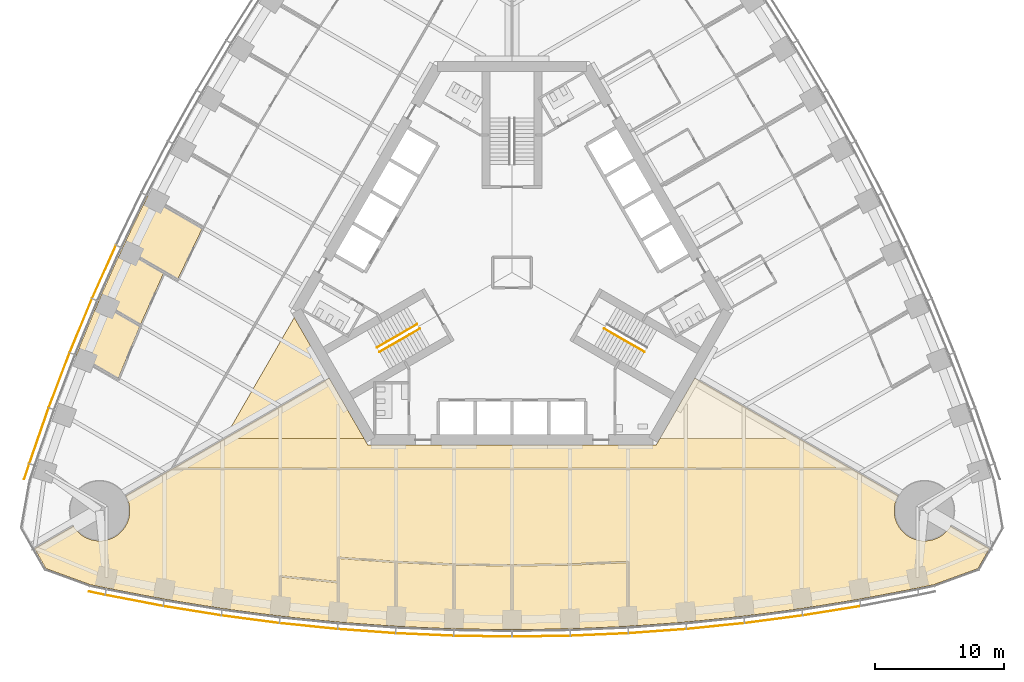
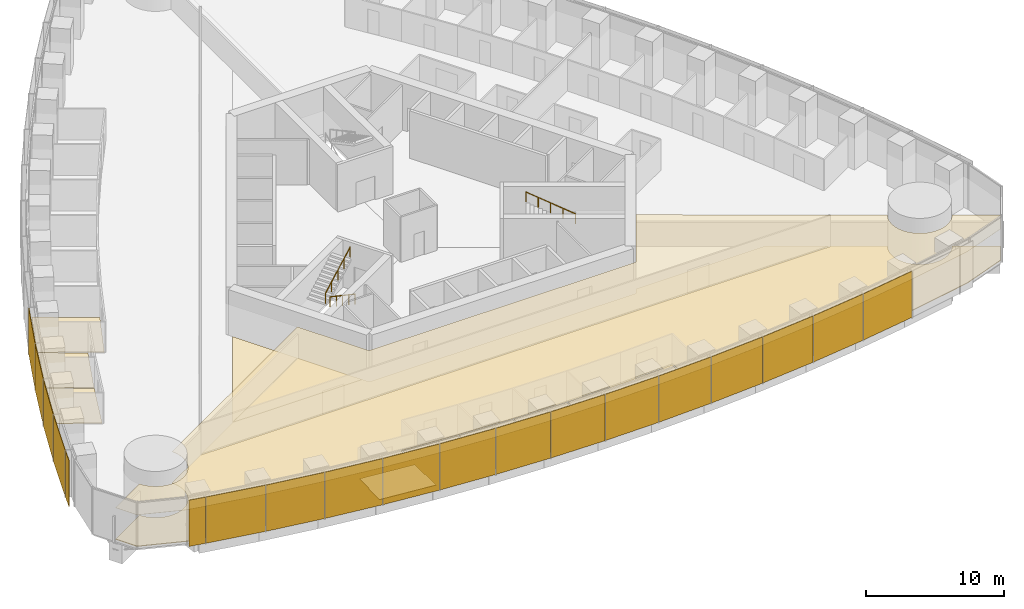
# One storey, part 14 of 18: 19 shading devices, 13 coverings, 3 railings.
"""IFC4 building model written with IfcOpenShell, lengths in metres."""

from ifc_helpers import new_model, si_unit, direction, frame, origin, origin_2d, place, context, subcontext, project, spatial, polyline, rectangle, circle, outline, extrude, material, layer, layer_set, type_object, element, save


model = new_model("IFC4")

# Units and contexts
model_context = context("Model", 3, precision=1e-05, world=origin(), true_north=direction((0.0, 1.0)))
body_context = subcontext(model_context, "Body", "Model", "MODEL_VIEW")
ifc_project = project(units=[si_unit("LENGTHUNIT", "METRE"), si_unit("AREAUNIT", "SQUARE_METRE"), si_unit("VOLUMEUNIT", "CUBIC_METRE"), si_unit("PLANEANGLEUNIT", "RADIAN"), si_unit("MASSUNIT", "GRAM", prefix="KILO")], contexts=[model_context])

# Site, building, storey
site_placement = place(None, origin())
site = spatial("IfcSite", under=ifc_project, at=site_placement, CompositionType="ELEMENT")
building_placement = place(site_placement, origin())
building = spatial("IfcBuilding", under=site, at=building_placement, Name="Trefoil Bronze Tower", CompositionType="ELEMENT")
storey_placement = place(building_placement, frame((0.0, 0.0, 54.300048828125)))
storey = spatial("IfcBuildingStorey", under=building, at=storey_placement, Name="L12", CompositionType="ELEMENT", Elevation=54.300048828125)

# Shading devices
ifc_material_1 = material(Name="Perforated bronze sheet", Category="bronze")
ifc_layer_1 = layer(ifc_material_1, 0.0400390625)
ifc_layer_set_1 = layer_set([ifc_layer_1], Name="Bronze solar screen panel")
shading_device_type = type_object("IfcShadingDeviceType", Name="Bronze solar screen panel", PredefinedType="SHUTTER", material=ifc_layer_set_1)
shading_device_1_placement = place(storey_placement, frame((-32.2431640625, -24.91064453125, 0.0498046875), z_axis=(0.0, 0.0, 1.0), x_axis=(0.978302717041, -0.207180582657, 0.0)))
element("IfcShadingDevice", 1, at=shading_device_1_placement, inside=storey, type_object=shading_device_type, Name="Solar screen CW-A L12 F1 bay 1", PredefinedType="SHUTTER", context=body_context, shape_type="SweptSolid", body=[
    extrude(rectangle(XDim=1.260498046875, YDim=0.0400390625, at=origin_2d()), origin(), (0.0, 0.0, 1.0), 4.10009765625),
])
shading_device_2_placement = place(storey_placement, frame((-29.351806640625, -25.478515625, 0.0498046875), z_axis=(0.0, 0.0, 1.0), x_axis=(0.982049823817, -0.188621694249, 0.0)))
element("IfcShadingDevice", 2, at=shading_device_2_placement, inside=storey, type_object=shading_device_type, Name="Solar screen CW-A L12 F1 bay 2", PredefinedType="SHUTTER", context=body_context, shape_type="SweptSolid", body=[
    extrude(rectangle(XDim=4.55224609375, YDim=0.0400390625, at=origin_2d()), origin(), (0.0, 0.0, 1.0), 4.10009765625),
])
shading_device_3_placement = place(storey_placement, frame((-24.836181640625, -26.277099609375, 0.0498046875), z_axis=(0.0, 0.0, 1.0), x_axis=(0.987181315145, -0.159602791421, 0.0)))
element("IfcShadingDevice", 3, at=shading_device_3_placement, inside=storey, type_object=shading_device_type, Name="Solar screen CW-A L12 F1 bay 3", PredefinedType="SHUTTER", context=body_context, shape_type="SweptSolid", body=[
    extrude(rectangle(XDim=4.5283203125, YDim=0.0400390625, at=origin_2d()), origin(), (0.0, 0.0, 1.0), 4.10009765625),
])
shading_device_4_placement = place(storey_placement, frame((-20.320556640625, -26.939697265625, 0.0498046875), z_axis=(0.0, 0.0, 1.0), x_axis=(0.991437251591, -0.130583981243, 0.0)))
element("IfcShadingDevice", 4, at=shading_device_4_placement, inside=storey, type_object=shading_device_type, Name="Solar screen CW-A L12 F1 bay 4", PredefinedType="SHUTTER", context=body_context, shape_type="SweptSolid", body=[
    extrude(rectangle(XDim=4.5087890625, YDim=0.0400390625, at=origin_2d()), origin(), (0.0, 0.0, 1.0), 4.10009765625),
])
shading_device_5_placement = place(storey_placement, frame((-15.804931640625, -27.467529296875, 0.0498046875), z_axis=(0.0, 0.0, 1.0), x_axis=(0.994828880293, -0.101565244717, 0.0)))
element("IfcShadingDevice", 5, at=shading_device_5_placement, inside=storey, type_object=shading_device_type, Name="Solar screen CW-A L12 F1 bay 5", PredefinedType="SHUTTER", context=body_context, shape_type="SweptSolid", body=[
    extrude(rectangle(XDim=4.493408203125, YDim=0.0400390625, at=origin_2d()), origin(), (0.0, 0.0, 1.0), 4.10009765625),
])
shading_device_6_placement = place(storey_placement, frame((-11.2890625, -27.8623046875, 0.0498046875), z_axis=(0.0, 0.0, 1.0), x_axis=(0.99736502647, -0.072546564177, 0.0)))
element("IfcShadingDevice", 6, at=shading_device_6_placement, inside=storey, type_object=shading_device_type, Name="Solar screen CW-A L12 F1 bay 6", PredefinedType="SHUTTER", context=body_context, shape_type="SweptSolid", body=[
    extrude(rectangle(XDim=4.48193359375, YDim=0.0400390625, at=origin_2d()), origin(), (0.0, 0.0, 1.0), 4.10009765625),
])
shading_device_7_placement = place(storey_placement, frame((-6.7734375, -28.124755859375, 0.0498046875), z_axis=(0.0, 0.0, 1.0), x_axis=(0.999052210809, -0.043527922969, 0.0)))
element("IfcShadingDevice", 7, at=shading_device_7_placement, inside=storey, type_object=shading_device_type, Name="Solar screen CW-A L12 F1 bay 7", PredefinedType="SHUTTER", context=body_context, shape_type="SweptSolid", body=[
    extrude(rectangle(XDim=4.474365234375, YDim=0.0400390625, at=origin_2d()), origin(), (0.0, 0.0, 1.0), 4.10009765625),
])
for number, where, z_axis, x_axis, name in (
    (8, (-2.2578125, -28.256103515625, 0.0498046875), (0.0, 0.0, 1.0), (0.999894734493, -0.014509305083, 0.0), "Solar screen CW-A L12 F1 bay 8"),
    (9, (2.2578125, -28.256103515625, 0.0498046875), (0.0, 0.0, 1.0), (0.999894734493, 0.014509305083, 0.0), "Solar screen CW-A L12 F1 bay 9"),
):
    element("IfcShadingDevice", number, at=place(storey_placement, frame(where, z_axis=z_axis, x_axis=x_axis)), inside=storey, type_object=shading_device_type, Name=name, PredefinedType="SHUTTER", context=body_context, shape_type="SweptSolid", body=[
        extrude(rectangle(XDim=4.470458984375, YDim=0.0400390625, at=origin_2d()), origin(), (0.0, 0.0, 1.0), 4.10009765625),
    ])
shading_device_8_placement = place(storey_placement, frame((6.7734375, -28.124755859375, 0.0498046875), z_axis=(0.0, 0.0, 1.0), x_axis=(0.999052210809, 0.043527922969, 0.0)))
element("IfcShadingDevice", 10, at=shading_device_8_placement, inside=storey, type_object=shading_device_type, Name="Solar screen CW-A L12 F1 bay 10", PredefinedType="SHUTTER", context=body_context, shape_type="SweptSolid", body=[
    extrude(rectangle(XDim=4.474365234375, YDim=0.0400390625, at=origin_2d()), origin(), (0.0, 0.0, 1.0), 4.10009765625),
])
shading_device_9_placement = place(storey_placement, frame((11.2890625, -27.8623046875, 0.0498046875), z_axis=(0.0, 0.0, 1.0), x_axis=(0.99736502647, 0.072546564177, 0.0)))
element("IfcShadingDevice", 11, at=shading_device_9_placement, inside=storey, type_object=shading_device_type, Name="Solar screen CW-A L12 F1 bay 11", PredefinedType="SHUTTER", context=body_context, shape_type="SweptSolid", body=[
    extrude(rectangle(XDim=4.48193359375, YDim=0.0400390625, at=origin_2d()), origin(), (0.0, 0.0, 1.0), 4.10009765625),
])
shading_device_10_placement = place(storey_placement, frame((15.804931640625, -27.467529296875, 0.0498046875), z_axis=(0.0, 0.0, 1.0), x_axis=(0.994828880293, 0.101565244717, 0.0)))
element("IfcShadingDevice", 12, at=shading_device_10_placement, inside=storey, type_object=shading_device_type, Name="Solar screen CW-A L12 F1 bay 12", PredefinedType="SHUTTER", context=body_context, shape_type="SweptSolid", body=[
    extrude(rectangle(XDim=4.493408203125, YDim=0.0400390625, at=origin_2d()), origin(), (0.0, 0.0, 1.0), 4.10009765625),
])
shading_device_11_placement = place(storey_placement, frame((20.320556640625, -26.939697265625, 0.0498046875), z_axis=(0.0, 0.0, 1.0), x_axis=(0.991437251591, 0.130583981243, 0.0)))
element("IfcShadingDevice", 13, at=shading_device_11_placement, inside=storey, type_object=shading_device_type, Name="Solar screen CW-A L12 F1 bay 13", PredefinedType="SHUTTER", context=body_context, shape_type="SweptSolid", body=[
    extrude(rectangle(XDim=4.5087890625, YDim=0.0400390625, at=origin_2d()), origin(), (0.0, 0.0, 1.0), 4.10009765625),
])
shading_device_12_placement = place(storey_placement, frame((24.836181640625, -26.277099609375, 0.0498046875), z_axis=(0.0, 0.0, 1.0), x_axis=(0.987181315145, 0.159602791421, 0.0)))
element("IfcShadingDevice", 14, at=shading_device_12_placement, inside=storey, type_object=shading_device_type, Name="Solar screen CW-A L12 F1 bay 14", PredefinedType="SHUTTER", context=body_context, shape_type="SweptSolid", body=[
    extrude(rectangle(XDim=4.5283203125, YDim=0.0400390625, at=origin_2d()), origin(), (0.0, 0.0, 1.0), 4.10009765625),
])
shading_device_13_placement = place(storey_placement, frame((-31.68994140625, 0.04638671875, 0.0498046875), z_axis=(0.0, 0.0, 1.0), x_axis=(-0.40945635808, -0.912329705111, 0.0)))
element("IfcShadingDevice", 15, at=shading_device_13_placement, inside=storey, type_object=shading_device_type, Name="Solar screen CW-A L12 F3 bay 12", PredefinedType="SHUTTER", context=body_context, shape_type="SweptSolid", body=[
    extrude(rectangle(XDim=4.493408203125, YDim=0.0400390625, at=origin_2d()), origin(), (0.0, 0.0, 1.0), 4.10009765625),
])
shading_device_14_placement = place(storey_placement, frame((-33.49072265625, -4.128173828125, 0.0498046875), z_axis=(0.0, 0.0, 1.0), x_axis=(-0.382629580712, -0.923901836758, 0.0)))
element("IfcShadingDevice", 16, at=shading_device_14_placement, inside=storey, type_object=shading_device_type, Name="Solar screen CW-A L12 F3 bay 13", PredefinedType="SHUTTER", context=body_context, shape_type="SweptSolid", body=[
    extrude(rectangle(XDim=4.5087890625, YDim=0.0400390625, at=origin_2d()), origin(), (0.0, 0.0, 1.0), 4.10009765625),
])
shading_device_15_placement = place(storey_placement, frame((-35.1748046875, -8.3701171875, 0.0498046875), z_axis=(0.0, 0.0, 1.0), x_axis=(-0.355370585687, -0.934725492767, 0.0)))
element("IfcShadingDevice", 17, at=shading_device_15_placement, inside=storey, type_object=shading_device_type, Name="Solar screen CW-A L12 F3 bay 14", PredefinedType="SHUTTER", context=body_context, shape_type="SweptSolid", body=[
    extrude(rectangle(XDim=4.5283203125, YDim=0.0400390625, at=origin_2d()), origin(), (0.0, 0.0, 1.0), 4.10009765625),
])
shading_device_16_placement = place(storey_placement, frame((-36.740966796875, -12.68017578125, 0.0498046875), z_axis=(0.0, 0.0, 1.0), x_axis=(-0.327673732984, -0.944790942332, 0.0)))
element("IfcShadingDevice", 18, at=shading_device_16_placement, inside=storey, type_object=shading_device_type, Name="Solar screen CW-A L12 F3 bay 15", PredefinedType="SHUTTER", context=body_context, shape_type="SweptSolid", body=[
    extrude(rectangle(XDim=4.55224609375, YDim=0.0400390625, at=origin_2d()), origin(), (0.0, 0.0, 1.0), 4.10009765625),
])
shading_device_17_placement = place(storey_placement, frame((-37.69482421875, -15.468017578125, 0.0498046875), z_axis=(0.0, 0.0, 1.0), x_axis=(-0.309727710769, -0.950825296877, 0.0)))
element("IfcShadingDevice", 19, at=shading_device_17_placement, inside=storey, type_object=shading_device_type, Name="Solar screen CW-A L12 F3 bay 16", PredefinedType="SHUTTER", context=body_context, shape_type="SweptSolid", body=[
    extrude(rectangle(XDim=1.260498046875, YDim=0.0400390625, at=origin_2d()), origin(), (0.0, 0.0, 1.0), 4.10009765625),
])

# Railings
ifc_material_2 = material(Name="Steel handrail", Category="steel")
railing_type = type_object("IfcRailingType", Name="Handrail 900", PredefinedType="HANDRAIL", material=ifc_material_2)
railing_1_placement = place(storey_placement, frame((10.28369140625, -6.168212890625, 2.261474609375)))
element("IfcRailing", 20, at=railing_1_placement, inside=storey, type_object=railing_type, Name="Handrail ST1 flight 2 L12", PredefinedType="HANDRAIL", context=body_context, shape_type="SweptSolid", body=[
    extrude(circle(Radius=0.02392578125, at=origin_2d()), frame((0.0, 0.0, 0.8759765625), z_axis=(-0.76250339821, 0.440245697338, 0.474101564745), x_axis=(-0.500012057535, -0.866018442252, 0.0)), (0.0, 0.0, 1.0), 4.088623046875),
    extrude(circle(Radius=0.02099609375, at=origin_2d()), origin(), (0.0, 0.0, 1.0), 0.851806640625),
    extrude(circle(Radius=0.02099609375, at=origin_2d()), frame((-0.779296875, 0.449951171875, 0.484619140625)), (0.0, 0.0, 1.0), 0.851806640625),
    extrude(circle(Radius=0.02099609375, at=origin_2d()), frame((-1.558837890625, 0.89990234375, 0.96923828125)), (0.0, 0.0, 1.0), 0.851806640625),
    extrude(circle(Radius=0.02099609375, at=origin_2d()), frame((-2.33837890625, 1.35009765625, 1.453857421875)), (0.0, 0.0, 1.0), 0.851806640625),
    extrude(circle(Radius=0.02099609375, at=origin_2d()), frame((-3.11767578125, 1.800048828125, 1.9384765625)), (0.0, 0.0, 1.0), 0.851806640625),
])
railing_2_placement = place(storey_placement, frame((-7.166015625, -4.3681640625, 0.161376953125)))
element("IfcRailing", 21, at=railing_2_placement, inside=storey, type_object=railing_type, Name="Handrail ST3 flight 1 L12", PredefinedType="HANDRAIL", context=body_context, shape_type="SweptSolid", body=[
    extrude(circle(Radius=0.02392578125, at=origin_2d()), frame((0.0, 0.0, 0.8759765625), z_axis=(-0.76250339821, -0.440245697338, 0.474101564745), x_axis=(0.500012057535, -0.866018442252, 0.0)), (0.0, 0.0, 1.0), 4.088623046875),
    extrude(circle(Radius=0.02099609375, at=origin_2d()), origin(), (0.0, 0.0, 1.0), 0.851806640625),
    extrude(circle(Radius=0.02099609375, at=origin_2d()), frame((-0.779296875, -0.449951171875, 0.484619140625)), (0.0, 0.0, 1.0), 0.851806640625),
    extrude(circle(Radius=0.02099609375, at=origin_2d()), frame((-1.558837890625, -0.89990234375, 0.96923828125)), (0.0, 0.0, 1.0), 0.851806640625),
    extrude(circle(Radius=0.02099609375, at=origin_2d()), frame((-2.33837890625, -1.35009765625, 1.453857421875)), (0.0, 0.0, 1.0), 0.851806640625),
    extrude(circle(Radius=0.02099609375, at=origin_2d()), frame((-3.11767578125, -1.800048828125, 1.9384765625)), (0.0, 0.0, 1.0), 0.851806640625),
])
railing_3_placement = place(storey_placement, frame((-10.483642578125, -5.82177734375, 2.261474609375)))
element("IfcRailing", 22, at=railing_3_placement, inside=storey, type_object=railing_type, Name="Handrail ST3 flight 2 L12", PredefinedType="HANDRAIL", context=body_context, shape_type="SweptSolid", body=[
    extrude(circle(Radius=0.02392578125, at=origin_2d()), frame((0.0, 0.0, 0.8759765625), z_axis=(0.76250339821, 0.440245697338, 0.474101564745), x_axis=(-0.500012057535, 0.866018442252, 0.0)), (0.0, 0.0, 1.0), 4.088623046875),
    extrude(circle(Radius=0.02099609375, at=origin_2d()), origin(), (0.0, 0.0, 1.0), 0.851806640625),
    extrude(circle(Radius=0.02099609375, at=origin_2d()), frame((0.779296875, 0.449951171875, 0.484619140625)), (0.0, 0.0, 1.0), 0.851806640625),
    extrude(circle(Radius=0.02099609375, at=origin_2d()), frame((1.558837890625, 0.89990234375, 0.96923828125)), (0.0, 0.0, 1.0), 0.851806640625),
    extrude(circle(Radius=0.02099609375, at=origin_2d()), frame((2.33837890625, 1.35009765625, 1.453857421875)), (0.0, 0.0, 1.0), 0.851806640625),
    extrude(circle(Radius=0.02099609375, at=origin_2d()), frame((3.11767578125, 1.800048828125, 1.9384765625)), (0.0, 0.0, 1.0), 0.851806640625),
])

# Coverings
ifc_material_3 = material(Name="Acoustic ceiling panels", Category="mineral fibre")
ifc_layer_2 = layer(ifc_material_3, 0.02001953125)
ifc_layer_set_2 = layer_set([ifc_layer_2], Name="Office ceiling 20")
covering_type_1 = type_object("IfcCoveringType", Name="Office ceiling 20", PredefinedType="CEILING", material=ifc_layer_set_2)
covering_1_placement = place(storey_placement, frame((0.0, 0.0, 2.89990234375)))
element("IfcCovering", 23, at=covering_1_placement, inside=storey, type_object=covering_type_1, Name="Ceiling L12 Open-plan office F1", PredefinedType="CEILING", context=body_context, shape_type="SweptSolid", body=[
    extrude(outline(polyline([(-33.996826171875, -19.8056640625), (-33.930419921875, -19.89990234375), (-33.859619140625, -19.99072265625), (-33.7841796875, -20.078125), (-33.70458984375, -20.16162109375), (-33.62109375, -20.2412109375), (-33.53369140625, -20.316650390625), (-33.44287109375, -20.387451171875), (-33.348388671875, -20.4541015625), (-33.251220703125, -20.515625), (-33.150634765625, -20.572509765625), (-33.047607421875, -20.62451171875), (-32.942138671875, -20.671142578125), (-32.834716796875, -20.712646484375), (-32.72509765625, -20.748779296875), (-32.614013671875, -20.779541015625), (-32.50146484375, -20.8046875), (-32.3876953125, -20.82470703125), (-32.273193359375, -20.838623046875), (-32.158203125, -20.84716796875), (-32.04296875, -20.85009765625), (-31.927490234375, -20.84716796875), (-31.8125, -20.838623046875), (-31.697998046875, -20.82470703125), (-31.58447265625, -20.8046875), (-31.471923828125, -20.779541015625), (-31.36083984375, -20.748779296875), (-31.251220703125, -20.712646484375), (-31.1435546875, -20.671142578125), (-31.0380859375, -20.62451171875), (-30.935302734375, -20.572509765625), (-30.834716796875, -20.515625), (-30.7373046875, -20.4541015625), (-30.64306640625, -20.387451171875), (-30.552001953125, -20.316650390625), (-30.46484375, -20.2412109375), (-30.381103515625, -20.16162109375), (-30.3017578125, -20.078125), (-30.226318359375, -19.99072265625), (-30.155517578125, -19.89990234375), (-30.089111328125, -19.8056640625), (-30.02734375, -19.7080078125), (-29.970458984375, -19.60791015625), (-29.918701171875, -19.5048828125), (-29.871826171875, -19.3994140625), (-29.830322265625, -19.291748046875), (-29.794189453125, -19.18212890625), (-29.763427734375, -19.071044921875), (-29.738037109375, -18.95849609375), (-29.718505859375, -18.8447265625), (-29.704345703125, -18.730224609375), (-29.69580078125, -18.615234375), (-29.69287109375, -18.5), (-29.69580078125, -18.384765625), (-29.704345703125, -18.269775390625), (-29.718505859375, -18.1552734375), (-29.738037109375, -18.04150390625), (-29.763427734375, -17.928955078125), (-29.794189453125, -17.81787109375), (-29.830322265625, -17.708251953125), (-29.871826171875, -17.6005859375), (-29.918701171875, -17.4951171875), (-29.970458984375, -17.39208984375), (-30.001953125, -17.336669921875), (-14.19970703125, -8.205322265625), (-11.20068359375, -13.39990234375), (11.20068359375, -13.39990234375), (14.19970703125, -8.205322265625), (30.001953125, -17.336669921875), (29.970458984375, -17.39208984375), (29.918701171875, -17.4951171875), (29.871826171875, -17.6005859375), (29.830322265625, -17.708251953125), (29.794189453125, -17.81787109375), (29.763427734375, -17.928955078125), (29.738037109375, -18.04150390625), (29.718505859375, -18.1552734375), (29.704345703125, -18.269775390625), (29.69580078125, -18.384765625), (29.69287109375, -18.5), (29.69580078125, -18.615234375), (29.704345703125, -18.730224609375), (29.718505859375, -18.8447265625), (29.738037109375, -18.95849609375), (29.763427734375, -19.071044921875), (29.794189453125, -19.18212890625), (29.830322265625, -19.291748046875), (29.871826171875, -19.3994140625), (29.918701171875, -19.5048828125), (29.970458984375, -19.60791015625), (30.02734375, -19.7080078125), (30.089111328125, -19.8056640625), (30.155517578125, -19.89990234375), (30.226318359375, -19.99072265625), (30.3017578125, -20.078125), (30.381103515625, -20.16162109375), (30.46484375, -20.2412109375), (30.552001953125, -20.316650390625), (30.64306640625, -20.387451171875), (30.7373046875, -20.4541015625), (30.834716796875, -20.515625), (30.935302734375, -20.572509765625), (31.0380859375, -20.62451171875), (31.1435546875, -20.671142578125), (31.251220703125, -20.712646484375), (31.36083984375, -20.748779296875), (31.471923828125, -20.779541015625), (31.58447265625, -20.8046875), (31.697998046875, -20.82470703125), (31.8125, -20.838623046875), (31.927490234375, -20.84716796875), (32.04296875, -20.85009765625), (32.158203125, -20.84716796875), (32.273193359375, -20.838623046875), (32.3876953125, -20.82470703125), (32.50146484375, -20.8046875), (32.614013671875, -20.779541015625), (32.72509765625, -20.748779296875), (32.834716796875, -20.712646484375), (32.942138671875, -20.671142578125), (33.047607421875, -20.62451171875), (33.150634765625, -20.572509765625), (33.251220703125, -20.515625), (33.348388671875, -20.4541015625), (33.44287109375, -20.387451171875), (33.53369140625, -20.316650390625), (33.62109375, -20.2412109375), (33.70458984375, -20.16162109375), (33.7841796875, -20.078125), (33.859619140625, -19.99072265625), (33.930419921875, -19.89990234375), (33.996826171875, -19.8056640625), (34.0703125, -19.6875), (37.094482421875, -21.43505859375), (36.190673828125, -23.0009765625), (32.762451171875, -24.248779296875), (31.5, -24.51611328125), (27.0, -25.38037109375), (22.5, -26.10791015625), (18.0, -26.70068359375), (13.5, -27.159912109375), (9.0, -27.4873046875), (4.5, -27.683349609375), (0.0, -27.748779296875), (-4.5, -27.683349609375), (-9.0, -27.4873046875), (-13.5, -27.159912109375), (-18.0, -26.70068359375), (-22.5, -26.10791015625), (-27.0, -25.38037109375), (-31.5, -24.51611328125), (-32.762451171875, -24.248779296875), (-36.190673828125, -23.0009765625), (-37.094482421875, -21.43505859375), (-34.0703125, -19.6875), (-33.996826171875, -19.8056640625)])), origin(), (0.0, 0.0, 1.0), 0.02001953125),
])
ifc_material_4 = material(Name="Raised access floor panels", Category="steel")
ifc_layer_3 = layer(ifc_material_4, 0.050048828125)
ifc_layer_set_3 = layer_set([ifc_layer_3], Name="Raised access floor 150")
covering_type_2 = type_object("IfcCoveringType", Name="Raised access floor 150", PredefinedType="FLOORING", material=ifc_layer_set_3)
covering_2_placement = place(storey_placement, frame((0.0, 0.0, 0.099853515625)))
element("IfcCovering", 24, at=covering_2_placement, inside=storey, type_object=covering_type_2, Name="Raised floor L12 Kitchen and breakout F1", PredefinedType="FLOORING", context=body_context, shape_type="SweptSolid", body=[
    extrude(outline(polyline([(4.5, -27.683349609375), (0.0, -27.748779296875), (0.0, -26.168701171875), (0.06005859375, -26.168701171875), (0.06005859375, -22.807861328125), (4.5009765625, -22.743408203125), (4.5, -22.683349609375), (4.502685546875, -22.743408203125), (8.93994140625, -22.550048828125), (8.93994140625, -25.90478515625), (9.0, -25.90478515625), (9.0, -27.4873046875), (4.5, -27.683349609375)])), origin(), (0.0, 0.0, 1.0), 0.050048828125),
])
covering_3_placement = place(storey_placement, frame((0.0, 0.0, 0.099853515625)))
element("IfcCovering", 25, at=covering_3_placement, inside=storey, type_object=covering_type_2, Name="Raised floor L12 Meeting room F1", PredefinedType="FLOORING", context=body_context, shape_type="SweptSolid", body=[
    extrude(outline(polyline([(0.0, -27.748779296875), (-4.5, -27.683349609375), (-4.5, -26.102783203125), (-4.43994140625, -26.102783203125), (-4.43994140625, -22.744384765625), (-0.06005859375, -22.807861328125), (-0.06005859375, -26.168701171875), (0.0, -26.168701171875), (0.0, -27.748779296875)])), origin(), (0.0, 0.0, 1.0), 0.050048828125),
])
covering_4_placement = place(storey_placement, frame((0.0, 0.0, 0.099853515625)))
element("IfcCovering", 26, at=covering_4_placement, inside=storey, type_object=covering_type_2, Name="Raised floor L12 Meeting room F1", PredefinedType="FLOORING", context=body_context, shape_type="SweptSolid", body=[
    extrude(outline(polyline([(-4.5, -27.683349609375), (-9.0, -27.4873046875), (-9.0, -25.90478515625), (-8.93994140625, -25.90478515625), (-8.93994140625, -22.550048828125), (-4.56005859375, -22.740966796875), (-4.56005859375, -26.102783203125), (-4.5, -26.102783203125), (-4.5, -27.683349609375)])), origin(), (0.0, 0.0, 1.0), 0.050048828125),
])
covering_5_placement = place(storey_placement, frame((0.0, 0.0, 0.099853515625)))
element("IfcCovering", 27, at=covering_5_placement, inside=storey, type_object=covering_type_2, Name="Raised floor L12 Meeting room F1", PredefinedType="FLOORING", context=body_context, shape_type="SweptSolid", body=[
    extrude(outline(polyline([(-9.0, -27.4873046875), (-13.5, -27.159912109375), (-13.5, -25.573974609375), (-13.43994140625, -25.573974609375), (-13.43994140625, -22.224609375), (-9.06005859375, -22.543212890625), (-9.06005859375, -25.90478515625), (-9.0, -25.90478515625), (-9.0, -27.4873046875)])), origin(), (0.0, 0.0, 1.0), 0.050048828125),
])
covering_6_placement = place(storey_placement, frame((0.0, 0.0, 0.099853515625)))
element("IfcCovering", 28, at=covering_6_placement, inside=storey, type_object=covering_type_2, Name="Raised floor L12 Comms room F1", PredefinedType="FLOORING", context=body_context, shape_type="SweptSolid", body=[
    extrude(outline(polyline([(-13.5, -27.159912109375), (-18.0, -26.70068359375), (-18.0, -25.10986328125), (-17.93994140625, -25.10986328125), (-17.93994140625, -23.6669921875), (-13.56005859375, -24.1142578125), (-13.56005859375, -25.573974609375), (-13.5, -25.573974609375), (-13.5, -27.159912109375)])), origin(), (0.0, 0.0, 1.0), 0.050048828125),
])
covering_7_placement = place(storey_placement, frame((0.0, 0.0, 0.099853515625)))
element("IfcCovering", 29, at=covering_7_placement, inside=storey, type_object=covering_type_2, Name="Raised floor L12 Corridor F1", PredefinedType="FLOORING", context=body_context, shape_type="SweptSolid", body=[
    extrude(outline(polyline([(-26.304443359375, -15.199951171875), (-22.32421875, -12.89990234375), (-11.4892578125, -12.89990234375), (-11.20068359375, -13.39990234375), (11.20068359375, -13.39990234375), (11.4892578125, -12.89990234375), (22.32421875, -12.89990234375), (26.304443359375, -15.199951171875), (-26.304443359375, -15.199951171875)])), origin(), (0.0, 0.0, 1.0), 0.050048828125),
])
covering_8_placement = place(storey_placement, frame((0.0, 0.0, 0.099853515625)))
element("IfcCovering", 30, at=covering_8_placement, inside=storey, type_object=covering_type_2, Name="Raised floor L12 Open-plan office F1", PredefinedType="FLOORING", context=body_context, shape_type="SweptSolid", body=[
    extrude(outline(polyline([(-22.32421875, -12.89990234375), (-14.19970703125, -8.205322265625), (-11.4892578125, -12.89990234375), (-22.32421875, -12.89990234375)])), origin(), (0.0, 0.0, 1.0), 0.050048828125),
])
covering_9_placement = place(storey_placement, frame((0.0, 0.0, 0.099853515625)))
element("IfcCovering", 31, at=covering_9_placement, inside=storey, type_object=covering_type_2, Name="Raised floor L12 Open-plan office F1", PredefinedType="FLOORING", context=body_context, shape_type="SweptSolid", body=[
    extrude(outline(polyline([(-26.398193359375, -15.254150390625), (-26.398193359375, -15.320068359375), (26.398193359375, -15.320068359375), (26.398193359375, -15.254150390625), (30.001953125, -17.336669921875), (29.970458984375, -17.39208984375), (29.918701171875, -17.4951171875), (29.871826171875, -17.6005859375), (29.830322265625, -17.708251953125), (29.794189453125, -17.81787109375), (29.763427734375, -17.928955078125), (29.738037109375, -18.04150390625), (29.718505859375, -18.1552734375), (29.704345703125, -18.269775390625), (29.69580078125, -18.384765625), (29.69287109375, -18.5), (29.69580078125, -18.615234375), (29.704345703125, -18.730224609375), (29.718505859375, -18.8447265625), (29.738037109375, -18.95849609375), (29.763427734375, -19.071044921875), (29.794189453125, -19.18212890625), (29.830322265625, -19.291748046875), (29.871826171875, -19.3994140625), (29.918701171875, -19.5048828125), (29.970458984375, -19.60791015625), (30.02734375, -19.7080078125), (30.089111328125, -19.8056640625), (30.155517578125, -19.89990234375), (30.226318359375, -19.99072265625), (30.3017578125, -20.078125), (30.381103515625, -20.16162109375), (30.46484375, -20.2412109375), (30.552001953125, -20.316650390625), (30.64306640625, -20.387451171875), (30.7373046875, -20.4541015625), (30.834716796875, -20.515625), (30.935302734375, -20.572509765625), (31.0380859375, -20.62451171875), (31.1435546875, -20.671142578125), (31.251220703125, -20.712646484375), (31.36083984375, -20.748779296875), (31.471923828125, -20.779541015625), (31.58447265625, -20.8046875), (31.697998046875, -20.82470703125), (31.8125, -20.838623046875), (31.927490234375, -20.84716796875), (32.04296875, -20.85009765625), (32.158203125, -20.84716796875), (32.273193359375, -20.838623046875), (32.3876953125, -20.82470703125), (32.50146484375, -20.8046875), (32.614013671875, -20.779541015625), (32.72509765625, -20.748779296875), (32.834716796875, -20.712646484375), (32.942138671875, -20.671142578125), (33.047607421875, -20.62451171875), (33.150634765625, -20.572509765625), (33.251220703125, -20.515625), (33.348388671875, -20.4541015625), (33.44287109375, -20.387451171875), (33.53369140625, -20.316650390625), (33.62109375, -20.2412109375), (33.70458984375, -20.16162109375), (33.7841796875, -20.078125), (33.859619140625, -19.99072265625), (33.930419921875, -19.89990234375), (33.996826171875, -19.8056640625), (34.0703125, -19.6875), (37.094482421875, -21.43505859375), (36.190673828125, -23.0009765625), (32.762451171875, -24.248779296875), (31.5, -24.51611328125), (27.0, -25.38037109375), (22.5, -26.10791015625), (18.0, -26.70068359375), (13.5, -27.159912109375), (9.0, -27.4873046875), (9.0, -25.90478515625), (9.06005859375, -25.90478515625), (9.06005859375, -22.4873046875), (9.0, -22.4873046875), (8.997314453125, -22.427490234375), (4.866455078125, -22.607421875), (4.130126953125, -22.62890625), (0.0, -22.688720703125), (-4.498291015625, -22.623291015625), (-8.99658203125, -22.427490234375), (-13.49560546875, -22.10009765625), (-13.5, -22.159912109375), (-13.56005859375, -22.159912109375), (-13.56005859375, -23.99365234375), (-17.993896484375, -23.541015625), (-18.0, -23.6005859375), (-18.06005859375, -23.6005859375), (-18.06005859375, -25.10986328125), (-18.0, -25.10986328125), (-18.0, -26.70068359375), (-22.5, -26.10791015625), (-27.0, -25.38037109375), (-31.5, -24.51611328125), (-32.762451171875, -24.248779296875), (-36.190673828125, -23.0009765625), (-37.094482421875, -21.43505859375), (-34.0703125, -19.6875), (-33.996826171875, -19.8056640625), (-33.930419921875, -19.89990234375), (-33.859619140625, -19.99072265625), (-33.7841796875, -20.078125), (-33.70458984375, -20.16162109375), (-33.62109375, -20.2412109375), (-33.53369140625, -20.316650390625), (-33.44287109375, -20.387451171875), (-33.348388671875, -20.4541015625), (-33.251220703125, -20.515625), (-33.150634765625, -20.572509765625), (-33.047607421875, -20.62451171875), (-32.942138671875, -20.671142578125), (-32.834716796875, -20.712646484375), (-32.72509765625, -20.748779296875), (-32.614013671875, -20.779541015625), (-32.50146484375, -20.8046875), (-32.3876953125, -20.82470703125), (-32.273193359375, -20.838623046875), (-32.158203125, -20.84716796875), (-32.04296875, -20.85009765625), (-31.927490234375, -20.84716796875), (-31.8125, -20.838623046875), (-31.697998046875, -20.82470703125), (-31.58447265625, -20.8046875), (-31.471923828125, -20.779541015625), (-31.36083984375, -20.748779296875), (-31.251220703125, -20.712646484375), (-31.1435546875, -20.671142578125), (-31.0380859375, -20.62451171875), (-30.935302734375, -20.572509765625), (-30.834716796875, -20.515625), (-30.7373046875, -20.4541015625), (-30.64306640625, -20.387451171875), (-30.552001953125, -20.316650390625), (-30.46484375, -20.2412109375), (-30.381103515625, -20.16162109375), (-30.3017578125, -20.078125), (-30.226318359375, -19.99072265625), (-30.155517578125, -19.89990234375), (-30.089111328125, -19.8056640625), (-30.02734375, -19.7080078125), (-29.970458984375, -19.60791015625), (-29.918701171875, -19.5048828125), (-29.871826171875, -19.3994140625), (-29.830322265625, -19.291748046875), (-29.794189453125, -19.18212890625), (-29.763427734375, -19.071044921875), (-29.738037109375, -18.95849609375), (-29.718505859375, -18.8447265625), (-29.704345703125, -18.730224609375), (-29.69580078125, -18.615234375), (-29.69287109375, -18.5), (-29.69580078125, -18.384765625), (-29.704345703125, -18.269775390625), (-29.718505859375, -18.1552734375), (-29.738037109375, -18.04150390625), (-29.763427734375, -17.928955078125), (-29.794189453125, -17.81787109375), (-29.830322265625, -17.708251953125), (-29.871826171875, -17.6005859375), (-29.918701171875, -17.4951171875), (-29.970458984375, -17.39208984375), (-30.001953125, -17.336669921875), (-26.398193359375, -15.254150390625)])), origin(), (0.0, 0.0, 1.0), 0.050048828125),
])
covering_10_placement = place(storey_placement, frame((0.0, 0.0, 0.099853515625)))
element("IfcCovering", 32, at=covering_10_placement, inside=storey, type_object=covering_type_2, Name="Raised floor L12 Meeting room F3", PredefinedType="FLOORING", context=body_context, shape_type="SweptSolid", body=[
    extrude(outline(polyline([(-30.271240234375, 1.888671875), (-28.3046875, 5.949462890625), (-26.93408203125, 5.158203125), (-26.964111328125, 5.106201171875), (-24.052978515625, 3.42529296875), (-25.967041015625, -0.527099609375), (-28.867919921875, 1.147705078125), (-28.897705078125, 1.095703125), (-30.271240234375, 1.888671875)])), origin(), (0.0, 0.0, 1.0), 0.050048828125),
])
covering_11_placement = place(storey_placement, frame((0.0, 0.0, 0.099853515625)))
element("IfcCovering", 33, at=covering_11_placement, inside=storey, type_object=covering_type_2, Name="Raised floor L12 Pantry F3", PredefinedType="FLOORING", context=body_context, shape_type="SweptSolid", body=[
    extrude(outline(polyline([(-30.271240234375, 1.888671875), (-28.897705078125, 1.095703125), (-28.927734375, 1.043701171875), (-27.057373046875, -0.0361328125), (-28.860107421875, -4.052978515625), (-30.7158203125, -2.9814453125), (-30.745849609375, -3.033447265625), (-32.123291015625, -2.23828125), (-30.271240234375, 1.888671875)])), origin(), (0.0, 0.0, 1.0), 0.050048828125),
])
covering_12_placement = place(storey_placement, frame((0.0, 0.0, 0.099853515625)))
element("IfcCovering", 34, at=covering_12_placement, inside=storey, type_object=covering_type_2, Name="Raised floor L12 Pantry F3", PredefinedType="FLOORING", context=body_context, shape_type="SweptSolid", body=[
    extrude(outline(polyline([(-33.860107421875, -6.431640625), (-32.123291015625, -2.23828125), (-30.745849609375, -3.033447265625), (-30.77587890625, -3.08544921875), (-28.908203125, -4.163818359375), (-30.598388671875, -8.245361328125), (-32.447265625, -7.177978515625), (-32.477294921875, -7.22998046875), (-33.860107421875, -6.431640625)])), origin(), (0.0, 0.0, 1.0), 0.050048828125),
])
covering_13_placement = place(storey_placement, frame((0.0, 0.0, 0.099853515625)))
element("IfcCovering", 35, at=covering_13_placement, inside=storey, type_object=covering_type_2, Name="Raised floor L12 Open-plan office F3", PredefinedType="FLOORING", context=body_context, shape_type="SweptSolid", body=[
    extrude(outline(polyline([(-14.205810546875, -8.194580078125), (-22.333740234375, -12.88330078125), (-16.91650390625, -3.5), (-14.205810546875, -8.194580078125)])), origin(), (0.0, 0.0, 1.0), 0.050048828125),
])

save(model, "model.ifc")
